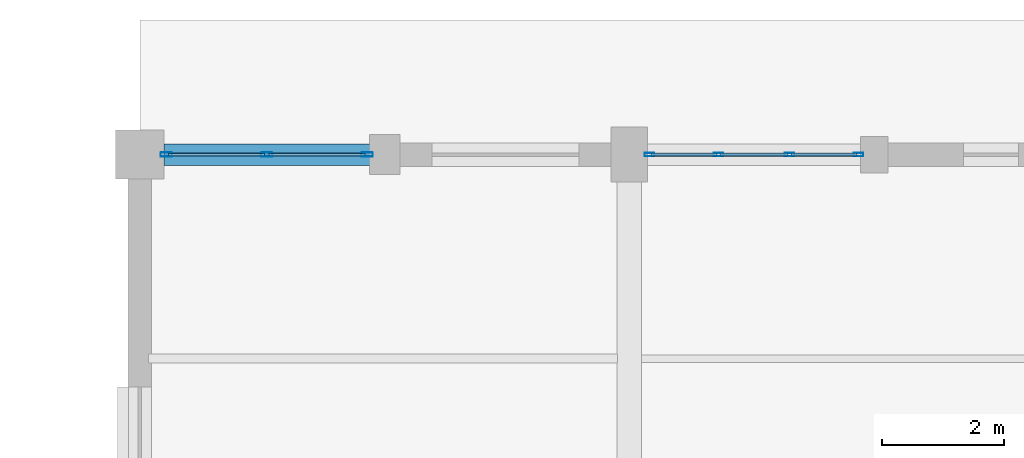
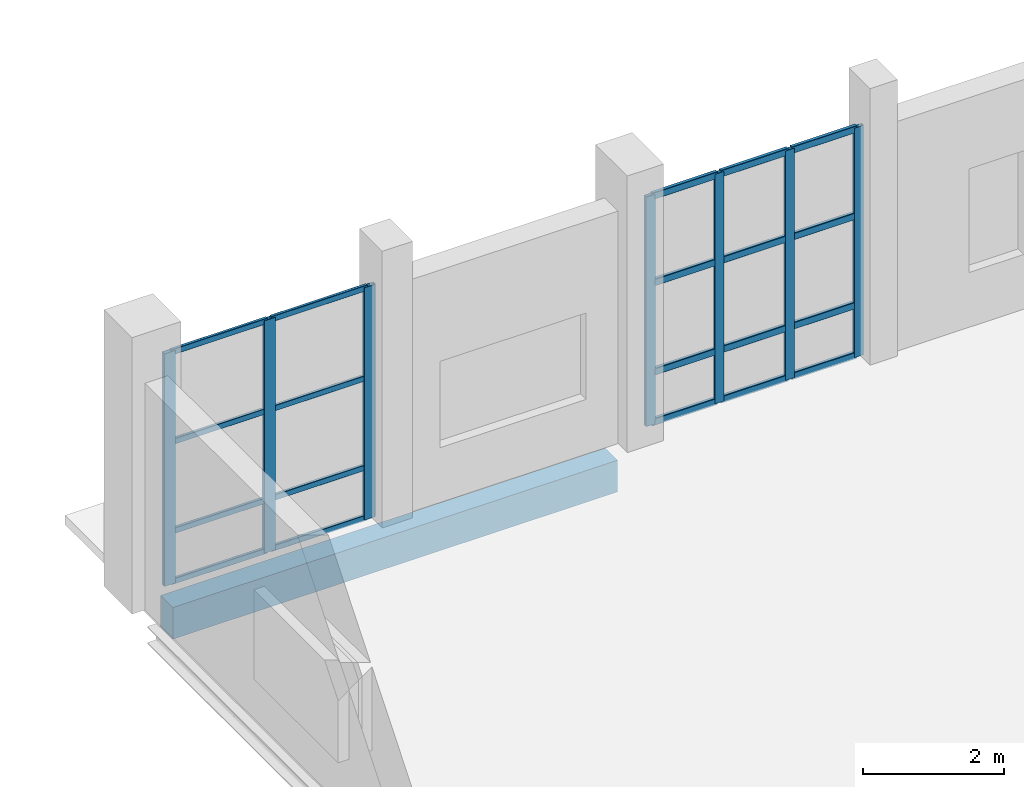
# One storey, part 56 of 156: 27 members, 1 beam, 2 elements without a shape of their own.
"""IFC4 building model written with IfcOpenShell, lengths in metres."""

from ifc_helpers import new_model, si_unit, direction, frame, origin, origin_2d, place, context, subcontext, project, spatial, rectangle, hollow_rectangle, extrude, material, material_profile, profile_set, type_object, element, aggregate, save


model = new_model("IFC4")

# Units and contexts
model_context = context("Model", 3, precision=1e-05, world=origin(), true_north=direction((0.0, 1.0)))
body_context = subcontext(model_context, "Body", "Model", "MODEL_VIEW")
ifc_project = project(units=[si_unit("LENGTHUNIT", "METRE"), si_unit("AREAUNIT", "SQUARE_METRE"), si_unit("VOLUMEUNIT", "CUBIC_METRE"), si_unit("PLANEANGLEUNIT", "RADIAN"), si_unit("MASSUNIT", "GRAM", prefix="KILO")], contexts=[model_context])

# Site, building, storey
site_placement = place(None, origin())
site = spatial("IfcSite", under=ifc_project, at=site_placement, CompositionType="ELEMENT")
building_placement = place(site_placement, origin())
building = spatial("IfcBuilding", under=site, at=building_placement, Name="Luwemba Playhouse", CompositionType="ELEMENT")
storey_placement = place(building_placement, origin())
storey = spatial("IfcBuildingStorey", under=building, at=storey_placement, Name="L00", CompositionType="ELEMENT", Elevation=0.0)

# Beam
ifc_material_1 = material(Name="Concrete C40/50", Category="concrete")
ifc_material_profile_1 = material_profile(ifc_material_1, rectangle(XDim=0.35009765625, YDim=0.550048828125, at=origin_2d()))
ifc_profile_set_1 = profile_set([ifc_material_profile_1], Name="Concrete C40/50")
beam_type = type_object("IfcBeamType", Name="BM-SP2", PredefinedType="SPANDREL", material=ifc_profile_set_1)
beam_placement = place(storey_placement, frame((108.39990234375, 115.0, -0.574951171875), z_axis=(1.0, 0.0, 0.0), x_axis=(0.0, 1.0, 0.0)))
element("IfcBeam", 1, at=beam_placement, inside=storey, type_object=beam_type, Name="L00 grid girder 0313", PredefinedType="SPANDREL", context=body_context, shape_type="SweptSolid", body=[
    extrude(rectangle(XDim=0.35009765625, YDim=0.550048828125, at=origin_2d()), origin(), (0.0, 0.0, 1.0), 7.300048828125),
])

# Curtain wall, members
ifc_material_2 = material(Name="Solar-control double glazing", Category="glass")
curtain_wall_type_1 = type_object("IfcCurtainWallType", Name="CW-CW11", PredefinedType="USERDEFINED", material=ifc_material_2)
curtain_wall_1_placement = place(storey_placement, origin())
curtain_wall_1 = element("IfcCurtainWall", 2, at=curtain_wall_1_placement, inside=storey, type_object=curtain_wall_type_1, Name="L00 V6E unitised curtain wall 083", ObjectType="UNITISED GLAZING", PredefinedType="USERDEFINED")
ifc_material_3 = material(Name="Aluminium 6063-T6", Category="aluminium")
ifc_material_profile_2 = material_profile(ifc_material_3, hollow_rectangle(XDim=0.06005859375, YDim=0.159912109375, WallThickness=0.00390625, InnerFilletRadius=0.006103515625, OuterFilletRadius=0.010009765625, at=origin_2d()))
ifc_profile_set_2 = profile_set([ifc_material_profile_2], Name="Aluminium 6063-T6")
member_type_1 = type_object("IfcMemberType", Name="CWM-M1", PredefinedType="MULLION", material=ifc_profile_set_2)
member_1_placement = place(storey_placement, frame((116.330078125, 115.0, 0.0), z_axis=(0.0, 0.0, 1.0), x_axis=(0.0, 1.0, 0.0)))
member_1 = element("IfcMember", 3, at=member_1_placement, type_object=member_type_1, Name="CW11 mullion 1", PredefinedType="MULLION", context=body_context, shape_type="SweptSolid", body=[
    extrude(hollow_rectangle(XDim=0.06005859375, YDim=0.159912109375, WallThickness=0.00390625, InnerFilletRadius=0.006103515625, OuterFilletRadius=0.010009765625, at=origin_2d()), origin(), (0.0, 0.0, 1.0), 3.985107421875),
])
member_2_placement = place(storey_placement, frame((117.458251953125, 115.0, 0.0), z_axis=(0.0, 0.0, 1.0), x_axis=(0.0, 1.0, 0.0)))
member_2 = element("IfcMember", 4, at=member_2_placement, type_object=member_type_1, Name="CW11 mullion 2", PredefinedType="MULLION", context=body_context, shape_type="SweptSolid", body=[
    extrude(hollow_rectangle(XDim=0.06005859375, YDim=0.159912109375, WallThickness=0.00390625, InnerFilletRadius=0.006103515625, OuterFilletRadius=0.010009765625, at=origin_2d()), origin(), (0.0, 0.0, 1.0), 3.985107421875),
])
member_3_placement = place(storey_placement, frame((118.61669921875, 115.0, 0.0), z_axis=(0.0, 0.0, 1.0), x_axis=(0.0, 1.0, 0.0)))
member_3 = element("IfcMember", 5, at=member_3_placement, type_object=member_type_1, Name="CW11 mullion 3", PredefinedType="MULLION", context=body_context, shape_type="SweptSolid", body=[
    extrude(hollow_rectangle(XDim=0.06005859375, YDim=0.159912109375, WallThickness=0.00390625, InnerFilletRadius=0.006103515625, OuterFilletRadius=0.010009765625, at=origin_2d()), origin(), (0.0, 0.0, 1.0), 3.985107421875),
])
member_4_placement = place(storey_placement, frame((119.7451171875, 115.0, 0.0), z_axis=(0.0, 0.0, 1.0), x_axis=(0.0, 1.0, 0.0)))
member_4 = element("IfcMember", 6, at=member_4_placement, type_object=member_type_1, Name="CW11 mullion 4", PredefinedType="MULLION", context=body_context, shape_type="SweptSolid", body=[
    extrude(hollow_rectangle(XDim=0.06005859375, YDim=0.159912109375, WallThickness=0.00390625, InnerFilletRadius=0.006103515625, OuterFilletRadius=0.010009765625, at=origin_2d()), origin(), (0.0, 0.0, 1.0), 3.985107421875),
])

curtain_wall_type_2 = type_object("IfcCurtainWallType", Name="CW-CW65", PredefinedType="USERDEFINED", material=ifc_material_2)
curtain_wall_2_placement = place(storey_placement, origin())
curtain_wall_2 = element("IfcCurtainWall", 7, at=curtain_wall_2_placement, inside=storey, type_object=curtain_wall_type_2, Name="L00 V6E unitised curtain wall 082", ObjectType="UNITISED GLAZING", PredefinedType="USERDEFINED")
ifc_material_profile_3 = material_profile(ifc_material_3, hollow_rectangle(XDim=0.070068359375, YDim=0.18994140625, WallThickness=0.0048828125, InnerFilletRadius=0.007568359375, OuterFilletRadius=0.012451171875, at=origin_2d()))
ifc_profile_set_3 = profile_set([ifc_material_profile_3], Name="Aluminium 6063-T6")
member_type_2 = type_object("IfcMemberType", Name="CWM-M4", PredefinedType="MULLION", material=ifc_profile_set_3)
member_5_placement = place(storey_placement, frame((108.43505859375, 115.0, 0.0), z_axis=(0.0, 0.0, 1.0), x_axis=(0.0, 1.0, 0.0)))
member_5 = element("IfcMember", 8, at=member_5_placement, type_object=member_type_2, Name="CW65 mullion 1", PredefinedType="MULLION", context=body_context, shape_type="SweptSolid", body=[
    extrude(hollow_rectangle(XDim=0.070068359375, YDim=0.18994140625, WallThickness=0.0048828125, InnerFilletRadius=0.007568359375, OuterFilletRadius=0.012451171875, at=origin_2d()), origin(), (0.0, 0.0, 1.0), 4.034912109375),
])
member_6_placement = place(storey_placement, frame((110.074951171875, 115.0, 0.0), z_axis=(0.0, 0.0, 1.0), x_axis=(0.0, 1.0, 0.0)))
member_6 = element("IfcMember", 9, at=member_6_placement, type_object=member_type_2, Name="CW65 mullion 2", PredefinedType="MULLION", context=body_context, shape_type="SweptSolid", body=[
    extrude(hollow_rectangle(XDim=0.070068359375, YDim=0.18994140625, WallThickness=0.0048828125, InnerFilletRadius=0.007568359375, OuterFilletRadius=0.012451171875, at=origin_2d()), origin(), (0.0, 0.0, 1.0), 4.034912109375),
])
member_7_placement = place(storey_placement, frame((111.715087890625, 115.0, 0.0), z_axis=(0.0, 0.0, 1.0), x_axis=(0.0, 1.0, 0.0)))
member_7 = element("IfcMember", 10, at=member_7_placement, type_object=member_type_2, Name="CW65 mullion 3", PredefinedType="MULLION", context=body_context, shape_type="SweptSolid", body=[
    extrude(hollow_rectangle(XDim=0.070068359375, YDim=0.18994140625, WallThickness=0.0048828125, InnerFilletRadius=0.007568359375, OuterFilletRadius=0.012451171875, at=origin_2d()), origin(), (0.0, 0.0, 1.0), 4.034912109375),
])

# Member
ifc_material_profile_4 = material_profile(ifc_material_3, hollow_rectangle(XDim=0.06005859375, YDim=0.1201171875, WallThickness=0.00390625, InnerFilletRadius=0.006103515625, OuterFilletRadius=0.010009765625, at=origin_2d()))
ifc_profile_set_4 = profile_set([ifc_material_profile_4], Name="Aluminium 6063-T6")
member_type_3 = type_object("IfcMemberType", Name="CWT-T1", PredefinedType="USERDEFINED", material=ifc_profile_set_4)
member_8_placement = place(storey_placement, frame((116.360107421875, 115.0, 0.030029296875), z_axis=(1.0, 0.0, 0.0), x_axis=(0.0, 1.0, 0.0)))
member_8 = element("IfcMember", 11, at=member_8_placement, type_object=member_type_3, Name="CW11 transom 1.1", ObjectType="TRANSOM", PredefinedType="USERDEFINED", context=body_context, shape_type="SweptSolid", body=[
    extrude(hollow_rectangle(XDim=0.06005859375, YDim=0.1201171875, WallThickness=0.00390625, InnerFilletRadius=0.006103515625, OuterFilletRadius=0.010009765625, at=origin_2d()), origin(), (0.0, 0.0, 1.0), 1.068115234375),
])

member_9_placement = place(storey_placement, frame((116.360107421875, 115.0, 0.89990234375), z_axis=(1.0, 0.0, 0.0), x_axis=(0.0, 1.0, 0.0)))
member_9 = element("IfcMember", 12, at=member_9_placement, type_object=member_type_3, Name="CW11 transom 1.2", ObjectType="TRANSOM", PredefinedType="USERDEFINED", context=body_context, shape_type="SweptSolid", body=[
    extrude(hollow_rectangle(XDim=0.06005859375, YDim=0.1201171875, WallThickness=0.00390625, InnerFilletRadius=0.006103515625, OuterFilletRadius=0.010009765625, at=origin_2d()), origin(), (0.0, 0.0, 1.0), 1.068115234375),
])

member_10_placement = place(storey_placement, frame((116.360107421875, 115.0, 2.449951171875), z_axis=(1.0, 0.0, 0.0), x_axis=(0.0, 1.0, 0.0)))
member_10 = element("IfcMember", 13, at=member_10_placement, type_object=member_type_3, Name="CW11 transom 1.3", ObjectType="TRANSOM", PredefinedType="USERDEFINED", context=body_context, shape_type="SweptSolid", body=[
    extrude(hollow_rectangle(XDim=0.06005859375, YDim=0.1201171875, WallThickness=0.00390625, InnerFilletRadius=0.006103515625, OuterFilletRadius=0.010009765625, at=origin_2d()), origin(), (0.0, 0.0, 1.0), 1.068115234375),
])

member_11_placement = place(storey_placement, frame((116.360107421875, 115.0, 3.955078125), z_axis=(1.0, 0.0, 0.0), x_axis=(0.0, 1.0, 0.0)))
member_11 = element("IfcMember", 14, at=member_11_placement, type_object=member_type_3, Name="CW11 transom 1.4", ObjectType="TRANSOM", PredefinedType="USERDEFINED", context=body_context, shape_type="SweptSolid", body=[
    extrude(hollow_rectangle(XDim=0.06005859375, YDim=0.1201171875, WallThickness=0.00390625, InnerFilletRadius=0.006103515625, OuterFilletRadius=0.010009765625, at=origin_2d()), origin(), (0.0, 0.0, 1.0), 1.068115234375),
])

member_12_placement = place(storey_placement, frame((117.48828125, 115.0, 0.030029296875), z_axis=(1.0, 0.0, 0.0), x_axis=(0.0, 1.0, 0.0)))
member_12 = element("IfcMember", 15, at=member_12_placement, type_object=member_type_3, Name="CW11 transom 2.1", ObjectType="TRANSOM", PredefinedType="USERDEFINED", context=body_context, shape_type="SweptSolid", body=[
    extrude(hollow_rectangle(XDim=0.06005859375, YDim=0.1201171875, WallThickness=0.00390625, InnerFilletRadius=0.006103515625, OuterFilletRadius=0.010009765625, at=origin_2d()), origin(), (0.0, 0.0, 1.0), 1.098388671875),
])

member_13_placement = place(storey_placement, frame((117.48828125, 115.0, 0.89990234375), z_axis=(1.0, 0.0, 0.0), x_axis=(0.0, 1.0, 0.0)))
member_13 = element("IfcMember", 16, at=member_13_placement, type_object=member_type_3, Name="CW11 transom 2.2", ObjectType="TRANSOM", PredefinedType="USERDEFINED", context=body_context, shape_type="SweptSolid", body=[
    extrude(hollow_rectangle(XDim=0.06005859375, YDim=0.1201171875, WallThickness=0.00390625, InnerFilletRadius=0.006103515625, OuterFilletRadius=0.010009765625, at=origin_2d()), origin(), (0.0, 0.0, 1.0), 1.098388671875),
])

member_14_placement = place(storey_placement, frame((117.48828125, 115.0, 2.449951171875), z_axis=(1.0, 0.0, 0.0), x_axis=(0.0, 1.0, 0.0)))
member_14 = element("IfcMember", 17, at=member_14_placement, type_object=member_type_3, Name="CW11 transom 2.3", ObjectType="TRANSOM", PredefinedType="USERDEFINED", context=body_context, shape_type="SweptSolid", body=[
    extrude(hollow_rectangle(XDim=0.06005859375, YDim=0.1201171875, WallThickness=0.00390625, InnerFilletRadius=0.006103515625, OuterFilletRadius=0.010009765625, at=origin_2d()), origin(), (0.0, 0.0, 1.0), 1.098388671875),
])

member_15_placement = place(storey_placement, frame((117.48828125, 115.0, 3.955078125), z_axis=(1.0, 0.0, 0.0), x_axis=(0.0, 1.0, 0.0)))
member_15 = element("IfcMember", 18, at=member_15_placement, type_object=member_type_3, Name="CW11 transom 2.4", ObjectType="TRANSOM", PredefinedType="USERDEFINED", context=body_context, shape_type="SweptSolid", body=[
    extrude(hollow_rectangle(XDim=0.06005859375, YDim=0.1201171875, WallThickness=0.00390625, InnerFilletRadius=0.006103515625, OuterFilletRadius=0.010009765625, at=origin_2d()), origin(), (0.0, 0.0, 1.0), 1.098388671875),
])

member_16_placement = place(storey_placement, frame((118.646728515625, 115.0, 0.030029296875), z_axis=(1.0, 0.0, 0.0), x_axis=(0.0, 1.0, 0.0)))
member_16 = element("IfcMember", 19, at=member_16_placement, type_object=member_type_3, Name="CW11 transom 3.1", ObjectType="TRANSOM", PredefinedType="USERDEFINED", context=body_context, shape_type="SweptSolid", body=[
    extrude(hollow_rectangle(XDim=0.06005859375, YDim=0.1201171875, WallThickness=0.00390625, InnerFilletRadius=0.006103515625, OuterFilletRadius=0.010009765625, at=origin_2d()), origin(), (0.0, 0.0, 1.0), 1.068359375),
])

member_17_placement = place(storey_placement, frame((118.646728515625, 115.0, 0.89990234375), z_axis=(1.0, 0.0, 0.0), x_axis=(0.0, 1.0, 0.0)))
member_17 = element("IfcMember", 20, at=member_17_placement, type_object=member_type_3, Name="CW11 transom 3.2", ObjectType="TRANSOM", PredefinedType="USERDEFINED", context=body_context, shape_type="SweptSolid", body=[
    extrude(hollow_rectangle(XDim=0.06005859375, YDim=0.1201171875, WallThickness=0.00390625, InnerFilletRadius=0.006103515625, OuterFilletRadius=0.010009765625, at=origin_2d()), origin(), (0.0, 0.0, 1.0), 1.068359375),
])

member_18_placement = place(storey_placement, frame((118.646728515625, 115.0, 2.449951171875), z_axis=(1.0, 0.0, 0.0), x_axis=(0.0, 1.0, 0.0)))
member_18 = element("IfcMember", 21, at=member_18_placement, type_object=member_type_3, Name="CW11 transom 3.3", ObjectType="TRANSOM", PredefinedType="USERDEFINED", context=body_context, shape_type="SweptSolid", body=[
    extrude(hollow_rectangle(XDim=0.06005859375, YDim=0.1201171875, WallThickness=0.00390625, InnerFilletRadius=0.006103515625, OuterFilletRadius=0.010009765625, at=origin_2d()), origin(), (0.0, 0.0, 1.0), 1.068359375),
])

member_19_placement = place(storey_placement, frame((118.646728515625, 115.0, 3.955078125), z_axis=(1.0, 0.0, 0.0), x_axis=(0.0, 1.0, 0.0)))
member_19 = element("IfcMember", 22, at=member_19_placement, type_object=member_type_3, Name="CW11 transom 3.4", ObjectType="TRANSOM", PredefinedType="USERDEFINED", context=body_context, shape_type="SweptSolid", body=[
    extrude(hollow_rectangle(XDim=0.06005859375, YDim=0.1201171875, WallThickness=0.00390625, InnerFilletRadius=0.006103515625, OuterFilletRadius=0.010009765625, at=origin_2d()), origin(), (0.0, 0.0, 1.0), 1.068359375),
])

aggregate(curtain_wall_1, [member_1, member_2, member_3, member_4, member_8, member_9, member_10, member_11, member_12, member_13, member_14, member_15, member_16, member_17, member_18, member_19])

ifc_material_profile_5 = material_profile(ifc_material_3, hollow_rectangle(XDim=0.050048828125, YDim=0.10009765625, WallThickness=0.00341796875, InnerFilletRadius=0.00537109375, OuterFilletRadius=0.0087890625, at=origin_2d()))
ifc_profile_set_5 = profile_set([ifc_material_profile_5], Name="Aluminium 6063-T6")
member_type_4 = type_object("IfcMemberType", Name="CWT-T4", PredefinedType="USERDEFINED", material=ifc_profile_set_5)
member_20_placement = place(storey_placement, frame((108.469970703125, 115.0, 0.02490234375), z_axis=(1.0, 0.0, 0.0), x_axis=(0.0, 1.0, 0.0)))
member_20 = element("IfcMember", 23, at=member_20_placement, type_object=member_type_4, Name="CW65 transom 1.1", ObjectType="TRANSOM", PredefinedType="USERDEFINED", context=body_context, shape_type="SweptSolid", body=[
    extrude(hollow_rectangle(XDim=0.050048828125, YDim=0.10009765625, WallThickness=0.00341796875, InnerFilletRadius=0.00537109375, OuterFilletRadius=0.0087890625, at=origin_2d()), origin(), (0.0, 0.0, 1.0), 1.570068359375),
])

member_21_placement = place(storey_placement, frame((108.469970703125, 115.0, 0.89990234375), z_axis=(1.0, 0.0, 0.0), x_axis=(0.0, 1.0, 0.0)))
member_21 = element("IfcMember", 24, at=member_21_placement, type_object=member_type_4, Name="CW65 transom 1.2", ObjectType="TRANSOM", PredefinedType="USERDEFINED", context=body_context, shape_type="SweptSolid", body=[
    extrude(hollow_rectangle(XDim=0.050048828125, YDim=0.10009765625, WallThickness=0.00341796875, InnerFilletRadius=0.00537109375, OuterFilletRadius=0.0087890625, at=origin_2d()), origin(), (0.0, 0.0, 1.0), 1.570068359375),
])

member_22_placement = place(storey_placement, frame((108.469970703125, 115.0, 2.449951171875), z_axis=(1.0, 0.0, 0.0), x_axis=(0.0, 1.0, 0.0)))
member_22 = element("IfcMember", 25, at=member_22_placement, type_object=member_type_4, Name="CW65 transom 1.3", ObjectType="TRANSOM", PredefinedType="USERDEFINED", context=body_context, shape_type="SweptSolid", body=[
    extrude(hollow_rectangle(XDim=0.050048828125, YDim=0.10009765625, WallThickness=0.00341796875, InnerFilletRadius=0.00537109375, OuterFilletRadius=0.0087890625, at=origin_2d()), origin(), (0.0, 0.0, 1.0), 1.570068359375),
])

member_23_placement = place(storey_placement, frame((108.469970703125, 115.0, 4.010009765625), z_axis=(1.0, 0.0, 0.0), x_axis=(0.0, 1.0, 0.0)))
member_23 = element("IfcMember", 26, at=member_23_placement, type_object=member_type_4, Name="CW65 transom 1.4", ObjectType="TRANSOM", PredefinedType="USERDEFINED", context=body_context, shape_type="SweptSolid", body=[
    extrude(hollow_rectangle(XDim=0.050048828125, YDim=0.10009765625, WallThickness=0.00341796875, InnerFilletRadius=0.00537109375, OuterFilletRadius=0.0087890625, at=origin_2d()), origin(), (0.0, 0.0, 1.0), 1.570068359375),
])

member_24_placement = place(storey_placement, frame((110.110107421875, 115.0, 0.02490234375), z_axis=(1.0, 0.0, 0.0), x_axis=(0.0, 1.0, 0.0)))
member_24 = element("IfcMember", 27, at=member_24_placement, type_object=member_type_4, Name="CW65 transom 2.1", ObjectType="TRANSOM", PredefinedType="USERDEFINED", context=body_context, shape_type="SweptSolid", body=[
    extrude(hollow_rectangle(XDim=0.050048828125, YDim=0.10009765625, WallThickness=0.00341796875, InnerFilletRadius=0.00537109375, OuterFilletRadius=0.0087890625, at=origin_2d()), origin(), (0.0, 0.0, 1.0), 1.56982421875),
])

member_25_placement = place(storey_placement, frame((110.110107421875, 115.0, 0.89990234375), z_axis=(1.0, 0.0, 0.0), x_axis=(0.0, 1.0, 0.0)))
member_25 = element("IfcMember", 28, at=member_25_placement, type_object=member_type_4, Name="CW65 transom 2.2", ObjectType="TRANSOM", PredefinedType="USERDEFINED", context=body_context, shape_type="SweptSolid", body=[
    extrude(hollow_rectangle(XDim=0.050048828125, YDim=0.10009765625, WallThickness=0.00341796875, InnerFilletRadius=0.00537109375, OuterFilletRadius=0.0087890625, at=origin_2d()), origin(), (0.0, 0.0, 1.0), 1.56982421875),
])

member_26_placement = place(storey_placement, frame((110.110107421875, 115.0, 2.449951171875), z_axis=(1.0, 0.0, 0.0), x_axis=(0.0, 1.0, 0.0)))
member_26 = element("IfcMember", 29, at=member_26_placement, type_object=member_type_4, Name="CW65 transom 2.3", ObjectType="TRANSOM", PredefinedType="USERDEFINED", context=body_context, shape_type="SweptSolid", body=[
    extrude(hollow_rectangle(XDim=0.050048828125, YDim=0.10009765625, WallThickness=0.00341796875, InnerFilletRadius=0.00537109375, OuterFilletRadius=0.0087890625, at=origin_2d()), origin(), (0.0, 0.0, 1.0), 1.56982421875),
])

member_27_placement = place(storey_placement, frame((110.110107421875, 115.0, 4.010009765625), z_axis=(1.0, 0.0, 0.0), x_axis=(0.0, 1.0, 0.0)))
member_27 = element("IfcMember", 30, at=member_27_placement, type_object=member_type_4, Name="CW65 transom 2.4", ObjectType="TRANSOM", PredefinedType="USERDEFINED", context=body_context, shape_type="SweptSolid", body=[
    extrude(hollow_rectangle(XDim=0.050048828125, YDim=0.10009765625, WallThickness=0.00341796875, InnerFilletRadius=0.00537109375, OuterFilletRadius=0.0087890625, at=origin_2d()), origin(), (0.0, 0.0, 1.0), 1.56982421875),
])

aggregate(curtain_wall_2, [member_5, member_6, member_7, member_20, member_21, member_22, member_23, member_24, member_25, member_26, member_27])

save(model, "model.ifc")
